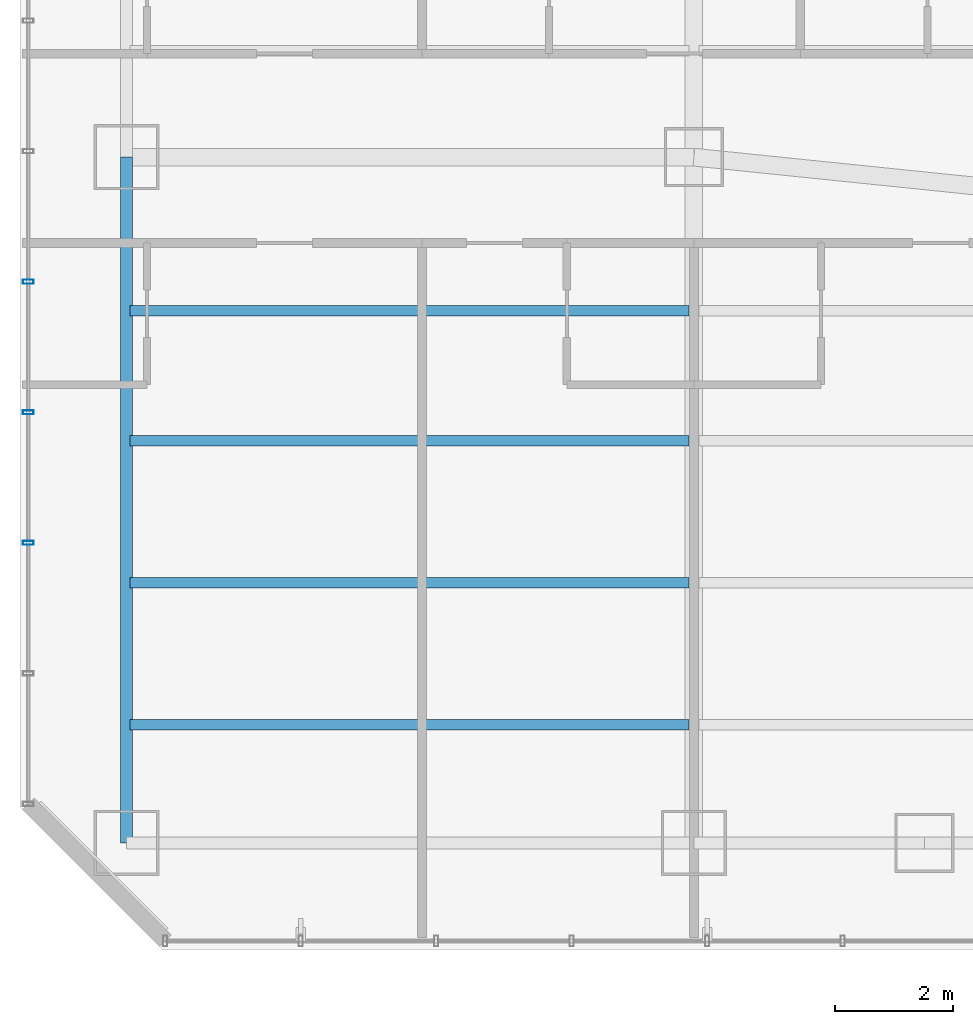
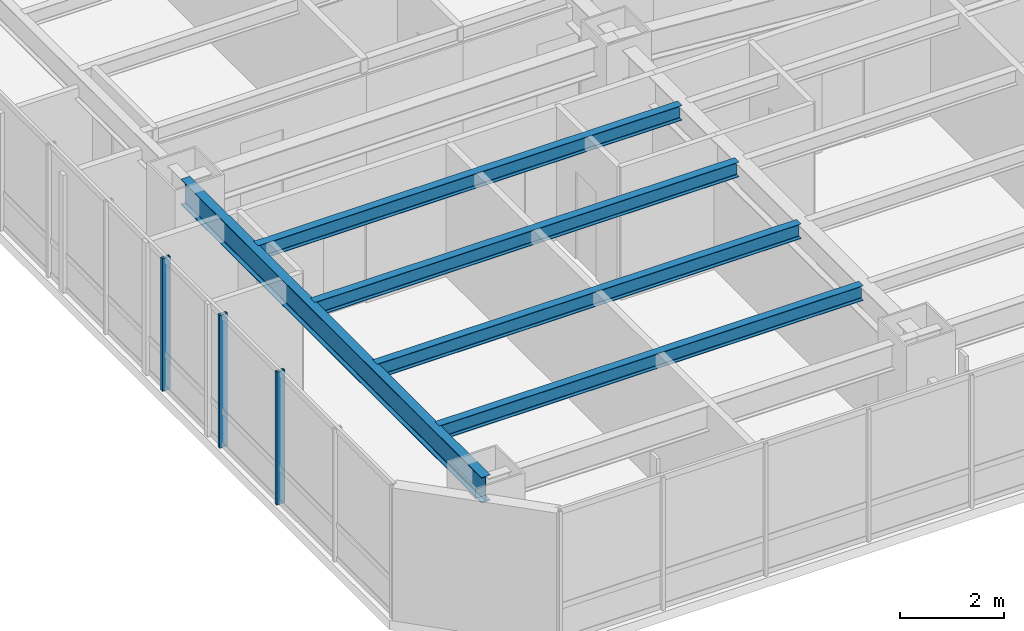
# One storey, part 5 of 32: 5 beams, 3 members, 1 element without a shape of its own.
"""IFC4 building model written with IfcOpenShell, lengths in metres."""

from ifc_helpers import new_model, si_unit, direction, frame, origin, origin_2d, place, context, subcontext, project, spatial, hollow_rectangle, i_section, extrude, material, layer, layer_set, material_profile, profile_set, type_object, element, aggregate, save


model = new_model("IFC4")

# Units and contexts
model_context = context("Model", 3, precision=1e-05, world=origin(), true_north=direction((0.0, 1.0)))
body_context = subcontext(model_context, "Body", "Model", "MODEL_VIEW")
ifc_project = project(units=[si_unit("LENGTHUNIT", "METRE"), si_unit("AREAUNIT", "SQUARE_METRE"), si_unit("VOLUMEUNIT", "CUBIC_METRE"), si_unit("PLANEANGLEUNIT", "RADIAN"), si_unit("MASSUNIT", "GRAM", prefix="KILO")], contexts=[model_context])

# Site, building, storey
site_placement = place(None, origin())
site = spatial("IfcSite", under=ifc_project, at=site_placement, CompositionType="ELEMENT")
building_placement = place(site_placement, origin())
building = spatial("IfcBuilding", under=site, at=building_placement, Name="Hatsunagi Terrace Concourse", CompositionType="ELEMENT")
storey_placement = place(building_placement, frame((0.0, 0.0, 36.60009765625)))
storey = spatial("IfcBuildingStorey", under=building, at=storey_placement, Name="L08", CompositionType="ELEMENT", Elevation=36.60009765625)

# Curtain wall, members
ifc_material_1 = material(Name="Anodised Aluminium Alloy 6063-T5", Category="aluminium")
ifc_layer = layer(ifc_material_1, 0.199951171875)
ifc_layer_set = layer_set([ifc_layer], Name="HotelFacade_CW02")
curtain_wall_type = type_object("IfcCurtainWallType", Name="HotelFacade_CW02", PredefinedType="NOTDEFINED", material=ifc_layer_set)
curtain_wall_placement = place(storey_placement, origin())
curtain_wall = element("IfcCurtainWall", 1, at=curtain_wall_placement, inside=storey, type_object=curtain_wall_type, Name="Unitised Curtain Wall CW-02 CW-L08-09", PredefinedType="NOTDEFINED")
ifc_material_2 = material(Name="Anodised Aluminium Alloy 6063-T5", Category="aluminium")
ifc_material_profile_1 = material_profile(ifc_material_2, hollow_rectangle(XDim=0.070068359375, YDim=0.179931640625, WallThickness=0.00390625, at=origin_2d()), Name="ALU-MUL-180x70x4")
ifc_profile_set_1 = profile_set([ifc_material_profile_1], Name="Anodised Aluminium Alloy 6063-T5")
member_type = type_object("IfcMemberType", Name="CurtainWallMullion_180x70", PredefinedType="MULLION", material=ifc_profile_set_1)
member_1_placement = place(storey_placement, frame((0.139892578125, 30.27490234375, 0.0), z_axis=(0.0, 0.0, 1.0), x_axis=(0.0, 1.0, 0.0)))
member_1 = element("IfcMember", 2, at=member_1_placement, type_object=member_type, Name="Curtain Wall Mullion MUL-02", PredefinedType="MULLION", context=body_context, shape_type="SweptSolid", body=[
    extrude(hollow_rectangle(XDim=0.070068359375, YDim=0.179931640625, WallThickness=0.00390625, at=origin_2d()), origin(), (0.0, 0.0, 1.0), 3.1298828125),
])
member_2_placement = place(storey_placement, frame((0.139892578125, 32.48291015625, 0.0), z_axis=(0.0, 0.0, 1.0), x_axis=(0.0, 1.0, 0.0)))
member_2 = element("IfcMember", 3, at=member_2_placement, type_object=member_type, Name="Curtain Wall Mullion MUL-02", PredefinedType="MULLION", context=body_context, shape_type="SweptSolid", body=[
    extrude(hollow_rectangle(XDim=0.070068359375, YDim=0.179931640625, WallThickness=0.00390625, at=origin_2d()), origin(), (0.0, 0.0, 1.0), 3.1298828125),
])
member_3_placement = place(storey_placement, frame((0.139892578125, 34.69189453125, 0.0), z_axis=(0.0, 0.0, 1.0), x_axis=(0.0, 1.0, 0.0)))
member_3 = element("IfcMember", 4, at=member_3_placement, type_object=member_type, Name="Curtain Wall Mullion MUL-02", PredefinedType="MULLION", context=body_context, shape_type="SweptSolid", body=[
    extrude(hollow_rectangle(XDim=0.070068359375, YDim=0.179931640625, WallThickness=0.00390625, at=origin_2d()), origin(), (0.0, 0.0, 1.0), 3.1298828125),
])
aggregate(curtain_wall, [member_1, member_2, member_3])

# Beams
ifc_material_3 = material(Name="Steel SN490B", Category="steel")
ifc_material_profile_2 = material_profile(ifc_material_3, i_section(OverallWidth=0.175048828125, OverallDepth=0.35009765625, WebThickness=0.007080078125, FlangeThickness=0.010986328125, FilletRadius=0.012939453125, at=origin_2d()), Name="H-350x175x7x11")
ifc_profile_set_2 = profile_set([ifc_material_profile_2], Name="Steel SN490B")
beam_type_1 = type_object("IfcBeamType", Name="HotelJoist_H_350x175", PredefinedType="JOIST", material=ifc_profile_set_2)
for number, where, z_axis, x_axis, name in (
    (5, (1.864990234375, 27.199951171875, 2.954833984375), (1.0, 0.0, 0.0), (0.0, 1.0, 0.0), "Beam J-02 J-L08-W-1-272"),
    (6, (1.864990234375, 29.60009765625, 2.954833984375), (1.0, 0.0, 0.0), (0.0, 1.0, 0.0), "Beam J-02 J-L08-W-1-296"),
    (7, (1.864990234375, 32.0, 2.954833984375), (1.0, 0.0, 0.0), (0.0, 1.0, 0.0), "Beam J-02 J-L08-W-1-320"),
    (8, (1.864990234375, 34.199951171875, 2.954833984375), (1.0, 0.0, 0.0), (0.0, 1.0, 0.0), "Beam J-02 J-L08-W-1-342"),
):
    element("IfcBeam", number, at=place(storey_placement, frame(where, z_axis=z_axis, x_axis=x_axis)), inside=storey, type_object=beam_type_1, Name=name, PredefinedType="JOIST", context=body_context, shape_type="SweptSolid", body=[
        extrude(i_section(OverallWidth=0.175048828125, OverallDepth=0.35009765625, WebThickness=0.007080078125, FlangeThickness=0.010986328125, FilletRadius=0.012939453125, at=origin_2d()), origin(), (0.0, 0.0, 1.0), 9.449951171875),
    ])
ifc_material_4 = material(Name="Steel SN490B", Category="steel")
ifc_material_profile_3 = material_profile(ifc_material_4, i_section(OverallWidth=0.199951171875, OverallDepth=0.60009765625, WebThickness=0.010986328125, FlangeThickness=0.01708984375, FilletRadius=0.01806640625, at=origin_2d()), Name="H-600x200x11x17")
ifc_profile_set_3 = profile_set([ifc_material_profile_3], Name="Steel SN490B")
beam_type_2 = type_object("IfcBeamType", Name="PerimeterSpandrel_H_600x200", PredefinedType="SPANDREL", material=ifc_profile_set_3)
beam_placement = place(storey_placement, frame((1.800048828125, 25.199951171875, 2.829833984375), z_axis=(0.0, 1.0, 0.0), x_axis=(-1.0, 0.0, 0.0)))
element("IfcBeam", 9, at=beam_placement, inside=storey, type_object=beam_type_2, Name="Beam SP-01 BM-L08-NS-1-25", PredefinedType="SPANDREL", context=body_context, shape_type="SweptSolid", body=[
    extrude(i_section(OverallWidth=0.199951171875, OverallDepth=0.60009765625, WebThickness=0.010986328125, FlangeThickness=0.01708984375, FilletRadius=0.01806640625, at=origin_2d()), origin(), (0.0, 0.0, 1.0), 11.60009765625),
])

save(model, "model.ifc")
